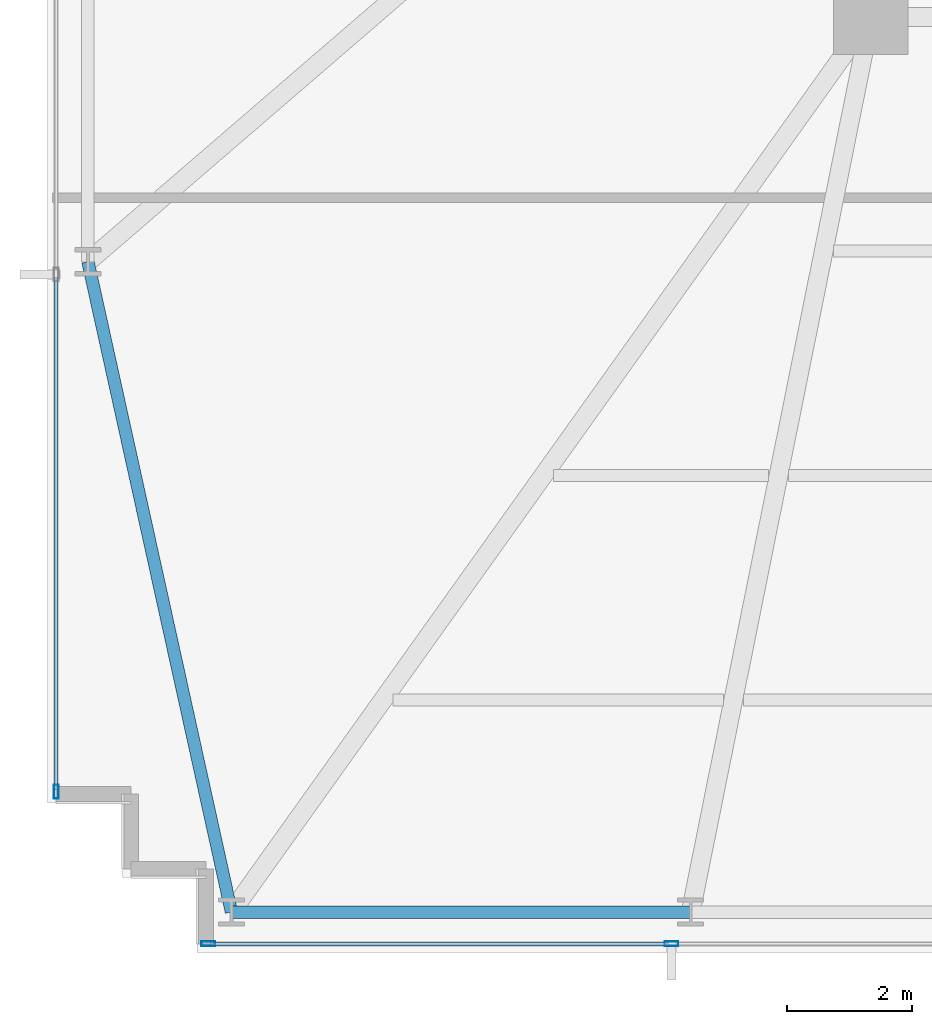
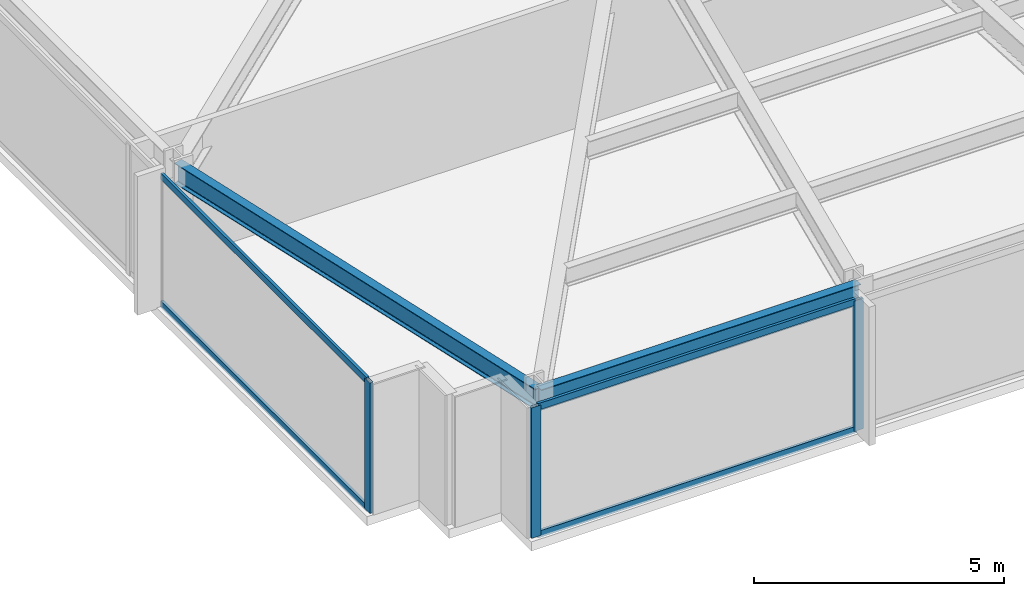
# One storey, part 2 of 33: 7 members, 2 beams, 2 elements without a shape of their own.
"""IFC4 building model written with IfcOpenShell, lengths in metres."""

from ifc_helpers import new_model, si_unit, direction, frame, origin, origin_2d, place, context, subcontext, project, spatial, hollow_rectangle, i_section, extrude, material, material_profile, profile_set, type_object, element, aggregate, save


model = new_model("IFC4")

# Units and contexts
model_context = context("Model", 3, precision=1e-05, world=origin(), true_north=direction((0.0, 1.0)))
body_context = subcontext(model_context, "Body", "Model", "MODEL_VIEW")
ifc_project = project(units=[si_unit("LENGTHUNIT", "METRE"), si_unit("AREAUNIT", "SQUARE_METRE"), si_unit("VOLUMEUNIT", "CUBIC_METRE"), si_unit("PLANEANGLEUNIT", "RADIAN"), si_unit("MASSUNIT", "GRAM", prefix="KILO")], contexts=[model_context])

# Site, building, storey
site_placement = place(None, origin())
site = spatial("IfcSite", under=ifc_project, at=site_placement, CompositionType="ELEMENT")
building_placement = place(site_placement, origin())
building = spatial("IfcBuilding", under=site, at=building_placement, Name="Yelkora Congress Tower", CompositionType="ELEMENT")
storey_placement = place(building_placement, frame((0.0, 0.0, 47.39990234375)))
storey = spatial("IfcBuildingStorey", under=building, at=storey_placement, Name="L11", CompositionType="ELEMENT", Elevation=47.39990234375)

# Beams
ifc_material_1 = material(Name="Steel S355J2", Category="steel")
ifc_material_profile_1 = material_profile(ifc_material_1, i_section(OverallWidth=0.199951171875, OverallDepth=0.5, WebThickness=0.01025390625, FlangeThickness=0.01611328125, FilletRadius=0.02099609375, at=origin_2d()), Name="IPE 500")
ifc_profile_set_1 = profile_set([ifc_material_profile_1], Name="Steel S355J2")
beam_type = type_object("IfcBeamType", Name="BM-SPAN-IPE500", PredefinedType="SPANDREL", material=ifc_profile_set_1)
beam_1_placement = place(storey_placement, frame((6.64990234375, 21.27490234375, 2.93017578125), z_axis=(0.215450706142, -0.976514717361, 0.0), x_axis=(0.976514717361, 0.215450706142, 0.0)))
element("IfcBeam", 1, at=beam_1_placement, inside=storey, type_object=beam_type, Name="L11 Perimeter Beam 1", PredefinedType="SPANDREL", context=body_context, shape_type="SweptSolid", body=[
    extrude(i_section(OverallWidth=0.199951171875, OverallDepth=0.5, WebThickness=0.01025390625, FlangeThickness=0.01611328125, FilletRadius=0.02099609375, at=origin_2d()), origin(), (0.0, 0.0, 1.0), 10.675537109375),
])
beam_2_placement = place(storey_placement, frame((8.949951171875, 10.85009765625, 2.93017578125), z_axis=(1.0, 0.0, 0.0), x_axis=(0.0, 1.0, 0.0)))
element("IfcBeam", 2, at=beam_2_placement, inside=storey, type_object=beam_type, Name="L11 Perimeter Beam 2", PredefinedType="SPANDREL", context=body_context, shape_type="SweptSolid", body=[
    extrude(i_section(OverallWidth=0.199951171875, OverallDepth=0.5, WebThickness=0.01025390625, FlangeThickness=0.01611328125, FilletRadius=0.02099609375, at=origin_2d()), origin(), (0.0, 0.0, 1.0), 7.362548828125),
])

# Curtain wall, member
ifc_material_2 = material(Name="Anodised aluminium and insulated glass", Category="aluminium")
curtain_wall_type = type_object("IfcCurtainWallType", Name="CW-SYS-B1", PredefinedType="NOTDEFINED", material=ifc_material_2)
curtain_wall_1_placement = place(storey_placement, origin())
curtain_wall_1 = element("IfcCurtainWall", 3, at=curtain_wall_1_placement, inside=storey, type_object=curtain_wall_type, Name="L11 Unitised Curtain Wall 5", PredefinedType="NOTDEFINED")
ifc_material_3 = material(Name="Anodised aluminium 6063-T6", Category="aluminium")
ifc_material_profile_2 = material_profile(ifc_material_3, hollow_rectangle(XDim=0.074951171875, YDim=0.219970703125, WallThickness=0.0048828125, at=origin_2d()), Name="ALU 75x220x5")
ifc_profile_set_2 = profile_set([ifc_material_profile_2], Name="Anodised aluminium 6063-T6")
member_type_1 = type_object("IfcMemberType", Name="MEM-ML-B1", PredefinedType="MULLION", material=ifc_profile_set_2)
member_1_placement = place(storey_placement, frame((6.139892578125, 12.777587890625, 0.0), z_axis=(0.0, 0.0, 1.0), x_axis=(-1.0, 0.0, 0.0)))
member_1 = element("IfcMember", 4, at=member_1_placement, type_object=member_type_1, Name="CW-B1 mullion 1", PredefinedType="MULLION", context=body_context, shape_type="SweptSolid", body=[
    extrude(hollow_rectangle(XDim=0.074951171875, YDim=0.219970703125, WallThickness=0.0048828125, at=origin_2d()), origin(), (0.0, 0.0, 1.0), 3.18017578125),
])

# Curtain wall, members
curtain_wall_2_placement = place(storey_placement, origin())
curtain_wall_2 = element("IfcCurtainWall", 5, at=curtain_wall_2_placement, inside=storey, type_object=curtain_wall_type, Name="L11 Unitised Curtain Wall 20", PredefinedType="NOTDEFINED")
member_2_placement = place(storey_placement, frame((16.0048828125, 10.340087890625, 0.0), z_axis=(0.0, 0.0, 1.0), x_axis=(0.0, -1.0, 0.0)))
member_2 = element("IfcMember", 6, at=member_2_placement, type_object=member_type_1, Name="CW-B1 mullion 8", PredefinedType="MULLION", context=body_context, shape_type="SweptSolid", body=[
    extrude(hollow_rectangle(XDim=0.074951171875, YDim=0.219970703125, WallThickness=0.0048828125, at=origin_2d()), origin(), (0.0, 0.0, 1.0), 3.18017578125),
])
member_3_placement = place(storey_placement, frame((8.577392578125, 10.340087890625, 0.0), z_axis=(0.0, 0.0, 1.0), x_axis=(0.0, -1.0, 0.0)))
member_3 = element("IfcMember", 7, at=member_3_placement, type_object=member_type_1, Name="CW-B1 mullion 9", PredefinedType="MULLION", context=body_context, shape_type="SweptSolid", body=[
    extrude(hollow_rectangle(XDim=0.074951171875, YDim=0.219970703125, WallThickness=0.0048828125, at=origin_2d()), origin(), (0.0, 0.0, 1.0), 3.18017578125),
])

# Member
ifc_material_profile_3 = material_profile(ifc_material_3, hollow_rectangle(XDim=0.06494140625, YDim=0.159912109375, WallThickness=0.00390625, at=origin_2d()), Name="ALU 65x160x4")
ifc_profile_set_3 = profile_set([ifc_material_profile_3], Name="Anodised aluminium 6063-T6")
member_type_2 = type_object("IfcMemberType", Name="MEM-TR-B1", PredefinedType="USERDEFINED", material=ifc_profile_set_3)
member_4_placement = place(storey_placement, frame((6.139892578125, 12.81494140625, 0.03271484375), z_axis=(0.0, 1.0, 0.0), x_axis=(-1.0, 0.0, 0.0)))
member_4 = element("IfcMember", 8, at=member_4_placement, type_object=member_type_2, Name="CW-B1 transom 1.1", ObjectType="TRANSOM", PredefinedType="USERDEFINED", context=body_context, shape_type="SweptSolid", body=[
    extrude(hollow_rectangle(XDim=0.06494140625, YDim=0.159912109375, WallThickness=0.00390625, at=origin_2d()), origin(), (0.0, 0.0, 1.0), 8.217529296875),
])

member_5_placement = place(storey_placement, frame((6.139892578125, 12.81494140625, 3.147705078125), z_axis=(0.0, 1.0, 0.0), x_axis=(-1.0, 0.0, 0.0)))
member_5 = element("IfcMember", 9, at=member_5_placement, type_object=member_type_2, Name="CW-B1 transom 1.2", ObjectType="TRANSOM", PredefinedType="USERDEFINED", context=body_context, shape_type="SweptSolid", body=[
    extrude(hollow_rectangle(XDim=0.06494140625, YDim=0.159912109375, WallThickness=0.00390625, at=origin_2d()), origin(), (0.0, 0.0, 1.0), 8.217529296875),
])

aggregate(curtain_wall_1, [member_1, member_4, member_5])

member_6_placement = place(storey_placement, frame((15.967529296875, 10.340087890625, 0.03271484375), z_axis=(-1.0, 0.0, 0.0), x_axis=(0.0, -1.0, 0.0)))
member_6 = element("IfcMember", 10, at=member_6_placement, type_object=member_type_2, Name="CW-B1 transom 8.1", ObjectType="TRANSOM", PredefinedType="USERDEFINED", context=body_context, shape_type="SweptSolid", body=[
    extrude(hollow_rectangle(XDim=0.06494140625, YDim=0.159912109375, WallThickness=0.00390625, at=origin_2d()), origin(), (0.0, 0.0, 1.0), 7.3525390625),
])

member_7_placement = place(storey_placement, frame((15.967529296875, 10.340087890625, 3.147705078125), z_axis=(-1.0, 0.0, 0.0), x_axis=(0.0, -1.0, 0.0)))
member_7 = element("IfcMember", 11, at=member_7_placement, type_object=member_type_2, Name="CW-B1 transom 8.2", ObjectType="TRANSOM", PredefinedType="USERDEFINED", context=body_context, shape_type="SweptSolid", body=[
    extrude(hollow_rectangle(XDim=0.06494140625, YDim=0.159912109375, WallThickness=0.00390625, at=origin_2d()), origin(), (0.0, 0.0, 1.0), 7.3525390625),
])

aggregate(curtain_wall_2, [member_2, member_3, member_6, member_7])

save(model, "model.ifc")
